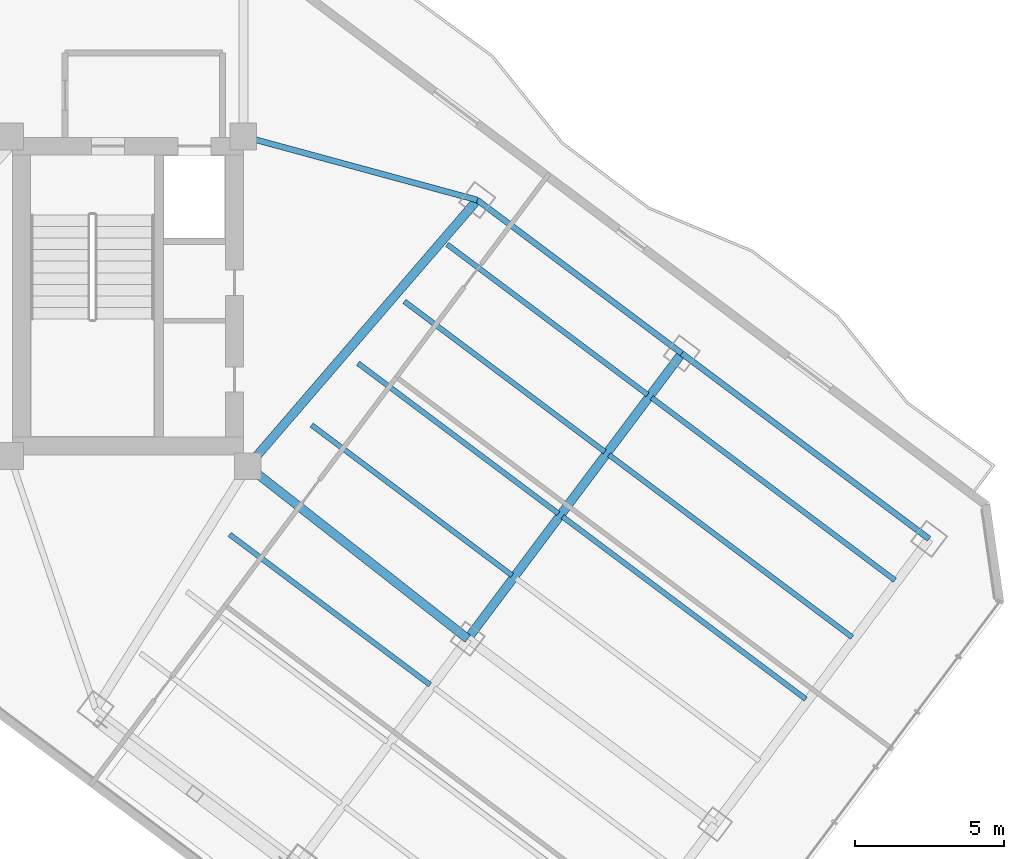
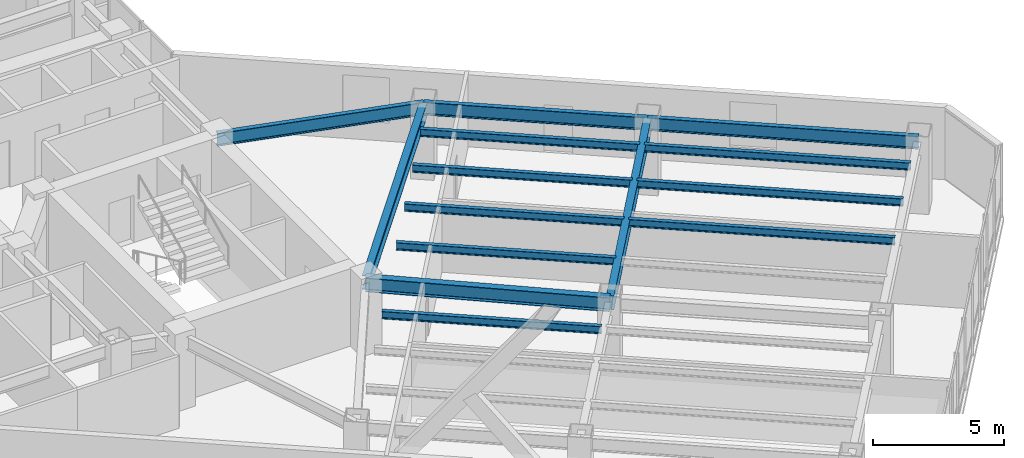
# One storey, part 11 of 29: 14 beams.
"""IFC4 building model written with IfcOpenShell, lengths in metres."""

from ifc_helpers import new_model, si_unit, direction, frame, origin, origin_2d, place, context, subcontext, project, spatial, i_section, extrude, material, material_profile, profile_set, type_object, element, save


model = new_model("IFC4")

# Units and contexts
model_context = context("Model", 3, precision=1e-05, world=origin(), true_north=direction((0.0, 1.0)))
body_context = subcontext(model_context, "Body", "Model", "MODEL_VIEW")
ifc_project = project(units=[si_unit("LENGTHUNIT", "METRE"), si_unit("AREAUNIT", "SQUARE_METRE"), si_unit("VOLUMEUNIT", "CUBIC_METRE"), si_unit("PLANEANGLEUNIT", "RADIAN"), si_unit("MASSUNIT", "GRAM", prefix="KILO")], contexts=[model_context])

# Site, building, storey
site_placement = place(None, origin())
site = spatial("IfcSite", under=ifc_project, at=site_placement, CompositionType="ELEMENT")
building_placement = place(site_placement, origin())
building = spatial("IfcBuilding", under=site, at=building_placement, Name="Hatsunagi Terrace Concourse", CompositionType="ELEMENT")
storey_placement = place(building_placement, frame((0.0, 0.0, 119.25)))
storey = spatial("IfcBuildingStorey", under=building, at=storey_placement, Name="L31", CompositionType="ELEMENT", Elevation=119.25)

# Beams
ifc_material_1 = material(Name="Steel SN490B", Category="steel")
ifc_material_profile_1 = material_profile(ifc_material_1, i_section(OverallWidth=0.175048828125, OverallDepth=0.35009765625, WebThickness=0.007080078125, FlangeThickness=0.010986328125, FilletRadius=0.012939453125, at=origin_2d()), Name="H-350x175x7x11")
ifc_profile_set_1 = profile_set([ifc_material_profile_1], Name="Steel SN490B")
beam_type_1 = type_object("IfcBeamType", Name="HotelJoist_H_350x175", PredefinedType="JOIST", material=ifc_profile_set_1)
for number, where, z_axis, x_axis, name in (
    (1, (43.18798828125, 21.908935546875, 3.175048828125), (0.800003475366, -0.59999536615, 0.0), (0.59999536615, 0.800003475366, 0.0), "Beam J-02 J-L31-SE-2-96"),
    (2, (45.947998046875, 25.589111328125, 3.175048828125), (0.799989573921, -0.600013901187, 0.0), (0.600013901187, 0.799989573921, 0.0), "Beam J-02 J-L31-SE-2-142"),
    (3, (47.508056640625, 27.6689453125, 3.175048828125), (0.800003475366, -0.59999536615, 0.0), (0.59999536615, 0.800003475366, 0.0), "Beam J-02 J-L31-SE-2-168"),
    (4, (49.068115234375, 29.7490234375, 3.175048828125), (0.799989573921, -0.600013901187, 0.0), (0.600013901187, 0.799989573921, 0.0), "Beam J-02 J-L31-SE-2-194"),
    (5, (50.508056640625, 31.6689453125, 3.175048828125), (0.800003475366, -0.59999536615, 0.0), (0.59999536615, 0.800003475366, 0.0), "Beam J-02 J-L31-SE-2-218"),
):
    element("IfcBeam", number, at=place(storey_placement, frame(where, z_axis=z_axis, x_axis=x_axis)), inside=storey, type_object=beam_type_1, Name=name, PredefinedType="JOIST", context=body_context, shape_type="SweptSolid", body=[
        extrude(i_section(OverallWidth=0.175048828125, OverallDepth=0.35009765625, WebThickness=0.007080078125, FlangeThickness=0.010986328125, FilletRadius=0.012939453125, at=origin_2d()), origin(), (0.0, 0.0, 1.0), 8.429931640625),
    ])
beam_1_placement = place(storey_placement, frame((54.387939453125, 22.509033203125, 3.175048828125), z_axis=(0.800005727586, -0.599992363142, 0.0), x_axis=(0.599992363142, 0.800005727586, 0.0)))
element("IfcBeam", 6, at=beam_1_placement, inside=storey, type_object=beam_type_1, Name="Beam J-02 J-L31-SE-3-168", PredefinedType="JOIST", context=body_context, shape_type="SweptSolid", body=[
    extrude(i_section(OverallWidth=0.175048828125, OverallDepth=0.35009765625, WebThickness=0.007080078125, FlangeThickness=0.010986328125, FilletRadius=0.012939453125, at=origin_2d()), origin(), (0.0, 0.0, 1.0), 10.22998046875),
])
beam_2_placement = place(storey_placement, frame((55.947998046875, 24.589111328125, 3.175048828125), z_axis=(0.799994272423, -0.600007636694, 0.0), x_axis=(0.600007636694, 0.799994272423, 0.0)))
element("IfcBeam", 7, at=beam_2_placement, inside=storey, type_object=beam_type_1, Name="Beam J-02 J-L31-SE-3-194", PredefinedType="JOIST", context=body_context, shape_type="SweptSolid", body=[
    extrude(i_section(OverallWidth=0.175048828125, OverallDepth=0.35009765625, WebThickness=0.007080078125, FlangeThickness=0.010986328125, FilletRadius=0.012939453125, at=origin_2d()), origin(), (0.0, 0.0, 1.0), 10.230224609375),
])
beam_3_placement = place(storey_placement, frame((57.387939453125, 26.509033203125, 3.175048828125), z_axis=(0.800005727586, -0.599992363142, 0.0), x_axis=(0.599992363142, 0.800005727586, 0.0)))
element("IfcBeam", 8, at=beam_3_placement, inside=storey, type_object=beam_type_1, Name="Beam J-02 J-L31-SE-3-218", PredefinedType="JOIST", context=body_context, shape_type="SweptSolid", body=[
    extrude(i_section(OverallWidth=0.175048828125, OverallDepth=0.35009765625, WebThickness=0.007080078125, FlangeThickness=0.010986328125, FilletRadius=0.012939453125, at=origin_2d()), origin(), (0.0, 0.0, 1.0), 10.22998046875),
])
ifc_material_2 = material(Name="Steel SN490B", Category="steel")
ifc_material_profile_2 = material_profile(ifc_material_2, i_section(OverallWidth=0.300048828125, OverallDepth=0.64990234375, WebThickness=0.012939453125, FlangeThickness=0.02197265625, FilletRadius=0.01806640625, at=origin_2d()), Name="H-650x300x13x22")
ifc_profile_set_2 = profile_set([ifc_material_profile_2], Name="Steel SN490B")
beam_type_2 = type_object("IfcBeamType", Name="OfficeLowGirder_H_650x300", PredefinedType="BEAM", material=ifc_profile_set_2)
beam_4_placement = place(storey_placement, frame((43.800048828125, 24.199951171875, 3.02490234375), z_axis=(0.652739101421, 0.757582777969, 0.0), x_axis=(-0.757582777969, 0.652739101421, 0.0)))
element("IfcBeam", 9, at=beam_4_placement, inside=storey, type_object=beam_type_2, Name="Beam G-05 BM-L31-SET-1B", PredefinedType="BEAM", context=body_context, shape_type="SweptSolid", body=[
    extrude(i_section(OverallWidth=0.300048828125, OverallDepth=0.64990234375, WebThickness=0.012939453125, FlangeThickness=0.02197265625, FilletRadius=0.01806640625, at=origin_2d()), origin(), (0.0, 0.0, 1.0), 11.8271484375),
])
beam_5_placement = place(storey_placement, frame((43.800048828125, 24.199951171875, 3.02490234375), z_axis=(0.787049441068, -0.616889923175, 0.0), x_axis=(0.616889923175, 0.787049441068, 0.0)))
element("IfcBeam", 10, at=beam_5_placement, inside=storey, type_object=beam_type_2, Name="Beam G-05 BM-L31-SE-M2", PredefinedType="BEAM", context=body_context, shape_type="SweptSolid", body=[
    extrude(i_section(OverallWidth=0.300048828125, OverallDepth=0.64990234375, WebThickness=0.012939453125, FlangeThickness=0.02197265625, FilletRadius=0.01806640625, at=origin_2d()), origin(), (0.0, 0.0, 1.0), 9.402099609375),
])
beam_6_placement = place(storey_placement, frame((51.199951171875, 18.39990234375, 3.02490234375), z_axis=(0.59999348959, 0.800004882766, 0.0), x_axis=(-0.800004882766, 0.59999348959, 0.0)))
element("IfcBeam", 11, at=beam_6_placement, inside=storey, type_object=beam_type_2, Name="Beam G-05 BM-L31-SET-2B", PredefinedType="BEAM", context=body_context, shape_type="SweptSolid", body=[
    extrude(i_section(OverallWidth=0.300048828125, OverallDepth=0.64990234375, WebThickness=0.012939453125, FlangeThickness=0.02197265625, FilletRadius=0.01806640625, at=origin_2d()), origin(), (0.0, 0.0, 1.0), 12.0),
])
ifc_material_3 = material(Name="Steel SN490B", Category="steel")
ifc_material_profile_3 = material_profile(ifc_material_3, i_section(OverallWidth=0.199951171875, OverallDepth=0.60009765625, WebThickness=0.010986328125, FlangeThickness=0.01708984375, FilletRadius=0.01806640625, at=origin_2d()), Name="H-600x200x11x17")
ifc_profile_set_3 = profile_set([ifc_material_profile_3], Name="Steel SN490B")
beam_type_3 = type_object("IfcBeamType", Name="PerimeterSpandrel_H_600x200", PredefinedType="SPANDREL", material=ifc_profile_set_3)
beam_7_placement = place(storey_placement, frame((43.64990234375, 35.300048828125, 3.050048828125), z_axis=(0.964958359286, -0.262403057994, 0.0), x_axis=(0.262403057994, 0.964958359286, 0.0)))
element("IfcBeam", 12, at=beam_7_placement, inside=storey, type_object=beam_type_3, Name="Beam SP-01 BM-L31-SE-NE0", PredefinedType="SPANDREL", context=body_context, shape_type="SweptSolid", body=[
    extrude(i_section(OverallWidth=0.199951171875, OverallDepth=0.60009765625, WebThickness=0.010986328125, FlangeThickness=0.01708984375, FilletRadius=0.01806640625, at=origin_2d()), origin(), (0.0, 0.0, 1.0), 8.156005859375),
])
beam_8_placement = place(storey_placement, frame((51.52001953125, 33.159912109375, 3.050048828125), z_axis=(0.8, -0.6, 0.0), x_axis=(0.6, 0.8, 0.0)))
element("IfcBeam", 13, at=beam_8_placement, inside=storey, type_object=beam_type_3, Name="Beam SP-01 BM-L31-SE-NE2", PredefinedType="SPANDREL", context=body_context, shape_type="SweptSolid", body=[
    extrude(i_section(OverallWidth=0.199951171875, OverallDepth=0.60009765625, WebThickness=0.010986328125, FlangeThickness=0.01708984375, FilletRadius=0.01806640625, at=origin_2d()), origin(), (0.0, 0.0, 1.0), 8.599853515625),
])
beam_9_placement = place(storey_placement, frame((58.39990234375, 28.0, 3.050048828125), z_axis=(0.800002816985, -0.599996244001, 0.0), x_axis=(0.599996244001, 0.800002816985, 0.0)))
element("IfcBeam", 14, at=beam_9_placement, inside=storey, type_object=beam_type_3, Name="Beam SP-01 BM-L31-SE-NE3", PredefinedType="SPANDREL", context=body_context, shape_type="SweptSolid", body=[
    extrude(i_section(OverallWidth=0.199951171875, OverallDepth=0.60009765625, WebThickness=0.010986328125, FlangeThickness=0.01708984375, FilletRadius=0.01806640625, at=origin_2d()), origin(), (0.0, 0.0, 1.0), 10.400146484375),
])

save(model, "model.ifc")
